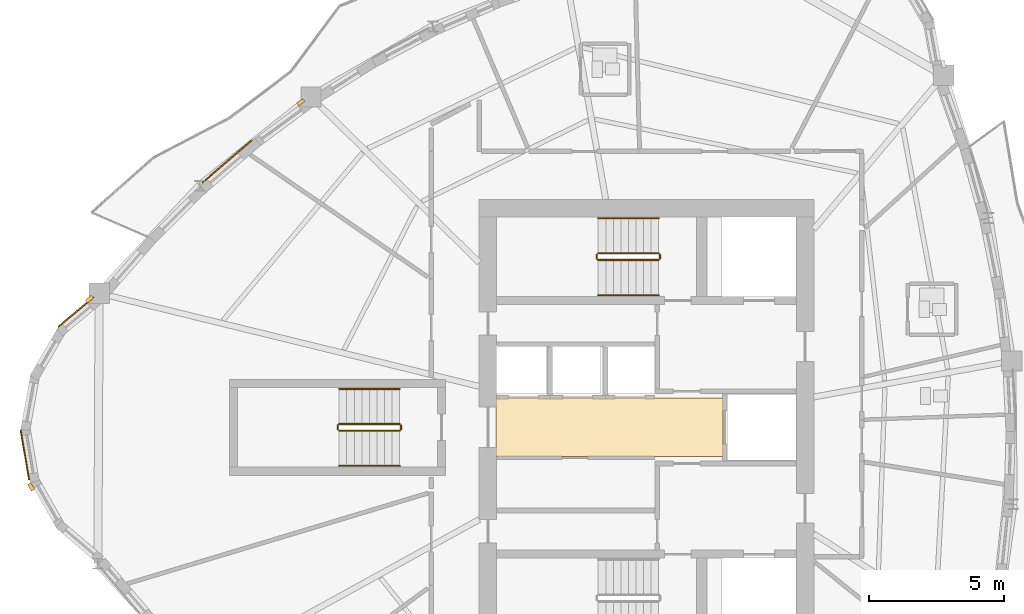
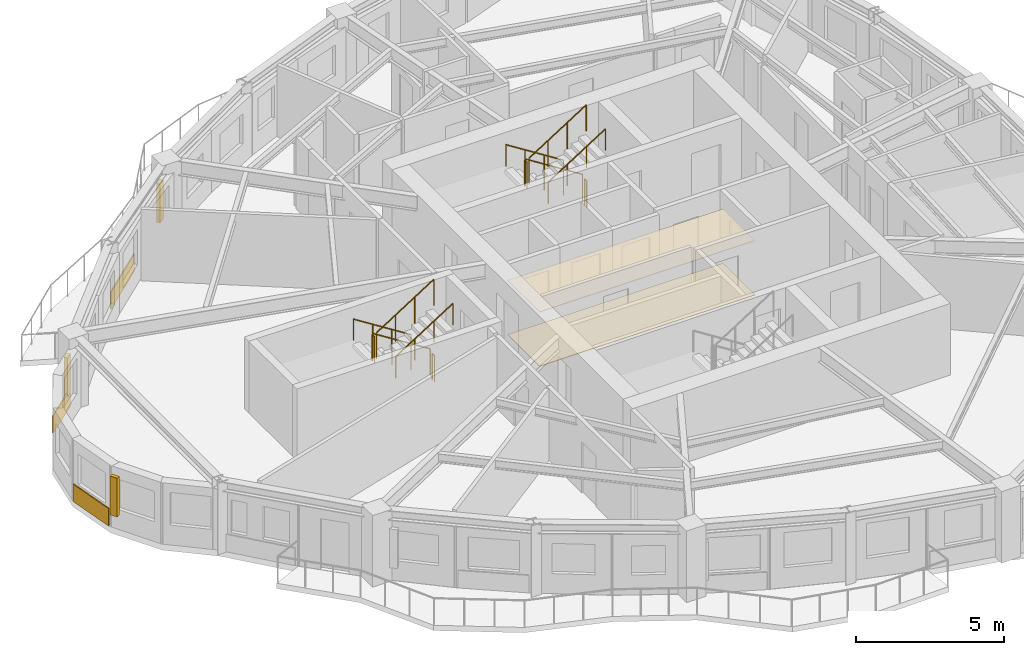
# One storey, part 10 of 12: 12 railings, 5 coverings, 3 shading devices.
"""IFC4 building model written with IfcOpenShell, lengths in metres."""

from ifc_helpers import new_model, si_unit, direction, frame, origin, origin_2d, place, context, subcontext, project, spatial, polyline, rectangle, circle, outline, extrude, source, transform, mapped, material, layer, layer_set, type_object, element, save


model = new_model("IFC4")

# Units and contexts
model_context = context("Model", 3, precision=1e-05, world=origin(), true_north=direction((0.0, 1.0)))
body_context = subcontext(model_context, "Body", "Model", "MODEL_VIEW")
ifc_project = project(units=[si_unit("LENGTHUNIT", "METRE"), si_unit("AREAUNIT", "SQUARE_METRE"), si_unit("VOLUMEUNIT", "CUBIC_METRE"), si_unit("PLANEANGLEUNIT", "RADIAN"), si_unit("MASSUNIT", "GRAM", prefix="KILO")], contexts=[model_context])

# Site, building, storey
site_placement = place(None, origin())
site = spatial("IfcSite", under=ifc_project, at=site_placement, CompositionType="ELEMENT")
building_placement = place(site_placement, origin())
building = spatial("IfcBuilding", under=site, at=building_placement, Name="Qafzar Sky-Pleat Residences", CompositionType="ELEMENT")
storey_placement = place(building_placement, frame((0.0, 0.0, 139.39990234375)))
storey = spatial("IfcBuildingStorey", under=building, at=storey_placement, Name="L41", CompositionType="ELEMENT", Elevation=139.39990234375)

# Coverings
ifc_material_1 = material(Name="Perforated acoustic gypsum board ceiling")
ifc_layer_1 = layer(ifc_material_1, 0.02001953125)
ifc_layer_set_1 = layer_set([ifc_layer_1], Name="Perforated acoustic gypsum board ceiling")
covering_type_1 = type_object("IfcCoveringType", Name="COV-CEIL-ACOUSTIC", PredefinedType="CEILING", material=ifc_layer_set_1)
covering_1_placement = place(storey_placement, frame((0.0, 0.0, 2.239990234375)))
element("IfcCovering", 1, at=covering_1_placement, inside=storey, type_object=covering_type_1, Name="L41 Passenger Lift Lobby Acoustic Ceiling", PredefinedType="CEILING", context=body_context, shape_type="SweptSolid", body=[
    extrude(outline(polyline([(33.179931640625, 24.919921875), (24.77001953125, 24.919921875), (24.77001953125, 27.080078125), (33.179931640625, 27.080078125), (33.179931640625, 24.919921875)])), origin(), (0.0, 0.0, 1.0), 0.02001953125),
])
ifc_material_2 = material(Name="Honed porcelain and Riyadh stone tile flooring", Category="masonry")
ifc_layer_2 = layer(ifc_material_2, 0.02001953125)
ifc_layer_set_2 = layer_set([ifc_layer_2], Name="Honed porcelain and Riyadh stone tile flooring")
covering_type_2 = type_object("IfcCoveringType", Name="COV-FLR-PORCELAIN", PredefinedType="FLOORING", material=ifc_layer_set_2)
covering_2_placement = place(storey_placement, origin())
element("IfcCovering", 2, at=covering_2_placement, inside=storey, type_object=covering_type_2, Name="L41 Passenger Lift Lobby Honed Stone Flooring", PredefinedType="FLOORING", context=body_context, shape_type="SweptSolid", body=[
    extrude(outline(polyline([(33.179931640625, 24.919921875), (24.77001953125, 24.919921875), (24.77001953125, 27.080078125), (33.179931640625, 27.080078125), (33.179931640625, 24.919921875)])), origin(), (0.0, 0.0, 1.0), 0.02001953125),
])

# Shading devices
ifc_material_3 = material(Name="Honed Riyadh limestone solar fin", Category="masonry")
ifc_layer_3 = layer(ifc_material_3, 0.139892578125)
ifc_layer_set_3 = layer_set([ifc_layer_3], Name="Honed Riyadh limestone solar fin")
shading_device_type = type_object("IfcShadingDeviceType", Name="SHD-FIN-STONE", PredefinedType="SHUTTER", material=ifc_layer_set_3)
shared_shape_1 = source(origin(), body_context, "Body", "SweptSolid", [
    extrude(rectangle(XDim=0.139892578125, YDim=0.280029296875, at=origin_2d()), origin(), (0.0, 0.0, 1.0), 1.60009765625),
])
for number, where, z_axis, x_axis, name in (
    (3, (9.705078125, 30.75146484375, 0.60009765625), (0.0, 0.0, 1.0), (-0.642178681306, 0.766554982552, 0.0), "L41 Limestone Solar Fin 1"),
    (4, (7.54248046875, 23.7919921875, 0.60009765625), (0.0, 0.0, 1.0), (-0.86961473554, -0.493730910245, 0.0), "L41 Limestone Solar Fin 5"),
    (5, (17.534423828125, 38.0478515625, 0.60009765625), (0.0, 0.0, 1.0), (-0.594883347751, 0.803812044304, 0.0), "L41 Limestone Solar Fin 45"),
):
    element("IfcShadingDevice", number, at=place(storey_placement, frame(where, z_axis=z_axis, x_axis=x_axis)), inside=storey, type_object=shading_device_type, Name=name, PredefinedType="SHUTTER", context=body_context, shape_type="MappedRepresentation", body=[
        mapped(shared_shape_1, transform((0.0, 0.0, 0.0), x_axis=(1.0, 0.0, 0.0), y_axis=(0.0, 1.0, 0.0), z_axis=(0.0, 0.0, 1.0), scale=1.0)),
    ])

# Coverings
ifc_material_4 = material(Name="Honed Riyadh Tuwaiq limestone cladding", Category="masonry")
ifc_layer_4 = layer(ifc_material_4, 0.044921875)
ifc_layer_set_4 = layer_set([ifc_layer_4], Name="Honed Riyadh Tuwaiq limestone cladding")
covering_type_3 = type_object("IfcCoveringType", Name="COV-CLAD-STONE", PredefinedType="CLADDING", material=ifc_layer_set_4)
shared_shape_2 = source(origin(), body_context, "Body", "SweptSolid", [
    extrude(rectangle(XDim=1.699462890625, YDim=0.044921875, at=origin_2d()), origin(), (0.0, 0.0, 1.0), 0.719970703125),
])
covering_3_placement = place(storey_placement, frame((9.20751953125, 30.278564453125, 0.02001953125), z_axis=(0.0, 0.0, 1.0), x_axis=(-0.766590937902, -0.642135759732, 0.0)))
element("IfcCovering", 6, at=covering_3_placement, inside=storey, type_object=covering_type_3, Name="L41 Riyadh Limestone Spandrel Cladding 1", PredefinedType="CLADDING", context=body_context, shape_type="MappedRepresentation", body=[
    mapped(shared_shape_2, transform((0.0, 0.0, 0.0), x_axis=(1.0, 0.0, 0.0), y_axis=(0.0, 1.0, 0.0), z_axis=(0.0, 0.0, 1.0), scale=1.0)),
])
shared_shape_3 = source(origin(), body_context, "Body", "SweptSolid", [
    extrude(rectangle(XDim=1.873046875, YDim=0.044921875, at=origin_2d()), origin(), (0.0, 0.0, 1.0), 0.719970703125),
])
covering_4_placement = place(storey_placement, frame((7.31103515625, 24.98046875, 0.02001953125), z_axis=(0.0, 0.0, 1.0), x_axis=(0.168130198723, -0.985764797646, 0.0)))
element("IfcCovering", 7, at=covering_4_placement, inside=storey, type_object=covering_type_3, Name="L41 Riyadh Limestone Spandrel Cladding 4", PredefinedType="CLADDING", context=body_context, shape_type="MappedRepresentation", body=[
    mapped(shared_shape_3, transform((0.0, 0.0, 0.0), x_axis=(1.0, 0.0, 0.0), y_axis=(0.0, 1.0, 0.0), z_axis=(0.0, 0.0, 1.0), scale=1.0)),
])
shared_shape_4 = source(origin(), body_context, "Body", "SweptSolid", [
    extrude(rectangle(XDim=2.406982421875, YDim=0.044921875, at=origin_2d()), origin(), (0.0, 0.0, 1.0), 0.719970703125),
])
covering_5_placement = place(storey_placement, frame((14.8046875, 35.854248046875, 0.02001953125), z_axis=(0.0, 0.0, 1.0), x_axis=(-0.757496035004, -0.652839763612, 0.0)))
element("IfcCovering", 8, at=covering_5_placement, inside=storey, type_object=covering_type_3, Name="L41 Riyadh Limestone Spandrel Cladding 46", PredefinedType="CLADDING", context=body_context, shape_type="MappedRepresentation", body=[
    mapped(shared_shape_4, transform((0.0, 0.0, 0.0), x_axis=(1.0, 0.0, 0.0), y_axis=(0.0, 1.0, 0.0), z_axis=(0.0, 0.0, 1.0), scale=1.0)),
])

# Railings
ifc_material_5 = material(Name="Painted Steel S355 stair guardrail", Category="steel")
railing_type_1 = type_object("IfcRailingType", Name="RAIL-STAIR-GUARD", PredefinedType="GUARDRAIL", material=ifc_material_5)
shared_shape_5 = source(origin(), body_context, "Body", "SweptSolid", [
    extrude(circle(Radius=0.02392578125, at=origin_2d()), frame((0.0, 0.0, 1.076171875), z_axis=(0.0, -1.0, 0.0), x_axis=(1.0, 0.0, 0.0)), (0.0, 0.0, 1.0), 0.14990234375),
    extrude(circle(Radius=0.02099609375, at=origin_2d()), origin(), (0.0, 0.0, 1.0), 1.052001953125),
    extrude(circle(Radius=0.02099609375, at=origin_2d()), frame((0.0, -0.14990234375, 0.0)), (0.0, 0.0, 1.0), 1.052001953125),
])
for number, where, name in (
    (9, (28.510009765625, 32.39990234375, 1.60009765625), "L41 ST2 stair guard 2"),
    (10, (30.85009765625, 32.39990234375, 0.0), "L41 ST2 stair guard 4"),
    (11, (18.909912109375, 26.074951171875, 1.60009765625), "L41 ST3 stair guard 2"),
    (12, (21.25, 26.074951171875, 0.0), "L41 ST3 stair guard 4"),
):
    element("IfcRailing", number, at=place(storey_placement, frame(where)), inside=storey, type_object=railing_type_1, Name=name, PredefinedType="GUARDRAIL", context=body_context, shape_type="MappedRepresentation", body=[
        mapped(shared_shape_5, transform((0.0, 0.0, 0.0), x_axis=(1.0, 0.0, 0.0), y_axis=(0.0, 1.0, 0.0), z_axis=(0.0, 0.0, 1.0), scale=1.0)),
    ])
shared_shape_6 = source(origin(), body_context, "Body", "SweptSolid", [
    extrude(circle(Radius=0.02392578125, at=origin_2d()), frame((0.0, 0.0, 1.076171875), z_axis=(-0.8442293374, 0.0, 0.53598211339), x_axis=(0.0, -1.0, 0.0)), (0.0, 0.0, 1.0), 2.6533203125),
    extrude(circle(Radius=0.02099609375, at=origin_2d()), origin(), (0.0, 0.0, 1.0), 1.052001953125),
    extrude(circle(Radius=0.02099609375, at=origin_2d()), frame((-0.74658203125, 0.0, 0.47412109375)), (0.0, 0.0, 1.0), 1.052001953125),
    extrude(circle(Radius=0.02099609375, at=origin_2d()), frame((-1.493408203125, 0.0, 0.947998046875)), (0.0, 0.0, 1.0), 1.052001953125),
    extrude(circle(Radius=0.02099609375, at=origin_2d()), frame((-2.239990234375, 0.0, 1.422119140625)), (0.0, 0.0, 1.0), 1.052001953125),
])
for number, where, name in (
    (13, (30.800048828125, 32.449951171875, 0.177978515625), "L41 ST2 stair guard 1"),
    (14, (21.199951171875, 26.125, 0.177978515625), "L41 ST3 stair guard 1"),
):
    element("IfcRailing", number, at=place(storey_placement, frame(where)), inside=storey, type_object=railing_type_1, Name=name, PredefinedType="GUARDRAIL", context=body_context, shape_type="MappedRepresentation", body=[
        mapped(shared_shape_6, transform((0.0, 0.0, 0.0), x_axis=(1.0, 0.0, 0.0), y_axis=(0.0, 1.0, 0.0), z_axis=(0.0, 0.0, 1.0), scale=1.0)),
    ])
ifc_material_6 = material(Name="Brushed stainless steel handrail", Category="steel")
railing_type_2 = type_object("IfcRailingType", Name="RAIL-STAIR-HAND", PredefinedType="HANDRAIL", material=ifc_material_6)
shared_shape_7 = source(origin(), body_context, "Body", "SweptSolid", [
    extrude(circle(Radius=0.02392578125, at=origin_2d()), frame((0.0, 0.0, 0.8759765625), z_axis=(-0.8442293374, 0.0, 0.53598211339), x_axis=(0.0, -1.0, 0.0)), (0.0, 0.0, 1.0), 2.6533203125),
    extrude(circle(Radius=0.02099609375, at=origin_2d()), origin(), (0.0, 0.0, 1.0), 0.851806640625),
    extrude(circle(Radius=0.02099609375, at=origin_2d()), frame((-0.74658203125, 0.0, 0.47412109375)), (0.0, 0.0, 1.0), 0.851806640625),
    extrude(circle(Radius=0.02099609375, at=origin_2d()), frame((-1.493408203125, 0.0, 0.947998046875)), (0.0, 0.0, 1.0), 0.851806640625),
    extrude(circle(Radius=0.02099609375, at=origin_2d()), frame((-2.239990234375, 0.0, 1.422119140625)), (0.0, 0.0, 1.0), 0.851806640625),
])
for number, where, name in (
    (15, (30.800048828125, 33.75, 0.177978515625), "L41 ST2 stair handrail 1"),
    (16, (21.199951171875, 27.425048828125, 0.177978515625), "L41 ST3 stair handrail 1"),
):
    element("IfcRailing", number, at=place(storey_placement, frame(where)), inside=storey, type_object=railing_type_2, Name=name, PredefinedType="HANDRAIL", context=body_context, shape_type="MappedRepresentation", body=[
        mapped(shared_shape_7, transform((0.0, 0.0, 0.0), x_axis=(1.0, 0.0, 0.0), y_axis=(0.0, 1.0, 0.0), z_axis=(0.0, 0.0, 1.0), scale=1.0)),
    ])
shared_shape_8 = source(origin(), body_context, "Body", "SweptSolid", [
    extrude(circle(Radius=0.02392578125, at=origin_2d()), frame((0.0, 0.0, 1.076171875), z_axis=(0.84418770128, 0.0, 0.536047689118), x_axis=(0.0, 1.0, 0.0)), (0.0, 0.0, 1.0), 2.6533203125),
    extrude(circle(Radius=0.02099609375, at=origin_2d()), origin(), (0.0, 0.0, 1.0), 1.052001953125),
    extrude(circle(Radius=0.02099609375, at=origin_2d()), frame((0.74658203125, 0.0, 0.47412109375)), (0.0, 0.0, 1.0), 1.052001953125),
    extrude(circle(Radius=0.02099609375, at=origin_2d()), frame((1.493408203125, 0.0, 0.9482421875)), (0.0, 0.0, 1.0), 1.052001953125),
    extrude(circle(Radius=0.02099609375, at=origin_2d()), frame((2.239990234375, 0.0, 1.42236328125)), (0.0, 0.0, 1.0), 1.052001953125),
])
for number, where, name in (
    (17, (28.56005859375, 32.199951171875, 1.77783203125), "L41 ST2 stair guard 3"),
    (18, (18.9599609375, 25.875, 1.77783203125), "L41 ST3 stair guard 3"),
):
    element("IfcRailing", number, at=place(storey_placement, frame(where)), inside=storey, type_object=railing_type_1, Name=name, PredefinedType="GUARDRAIL", context=body_context, shape_type="MappedRepresentation", body=[
        mapped(shared_shape_8, transform((0.0, 0.0, 0.0), x_axis=(1.0, 0.0, 0.0), y_axis=(0.0, 1.0, 0.0), z_axis=(0.0, 0.0, 1.0), scale=1.0)),
    ])
shared_shape_9 = source(origin(), body_context, "Body", "SweptSolid", [
    extrude(circle(Radius=0.02392578125, at=origin_2d()), frame((0.0, 0.0, 0.8759765625), z_axis=(0.84418770128, 0.0, 0.536047689118), x_axis=(0.0, 1.0, 0.0)), (0.0, 0.0, 1.0), 2.6533203125),
    extrude(circle(Radius=0.02099609375, at=origin_2d()), origin(), (0.0, 0.0, 1.0), 0.851806640625),
    extrude(circle(Radius=0.02099609375, at=origin_2d()), frame((0.74658203125, 0.0, 0.47412109375)), (0.0, 0.0, 1.0), 0.851806640625),
    extrude(circle(Radius=0.02099609375, at=origin_2d()), frame((1.493408203125, 0.0, 0.9482421875)), (0.0, 0.0, 1.0), 0.851806640625),
    extrude(circle(Radius=0.02099609375, at=origin_2d()), frame((2.239990234375, 0.0, 1.42236328125)), (0.0, 0.0, 1.0), 0.851806640625),
])
for number, where, name in (
    (19, (28.56005859375, 30.89990234375, 1.77783203125), "L41 ST2 stair handrail 2"),
    (20, (18.9599609375, 24.574951171875, 1.77783203125), "L41 ST3 stair handrail 2"),
):
    element("IfcRailing", number, at=place(storey_placement, frame(where)), inside=storey, type_object=railing_type_2, Name=name, PredefinedType="HANDRAIL", context=body_context, shape_type="MappedRepresentation", body=[
        mapped(shared_shape_9, transform((0.0, 0.0, 0.0), x_axis=(1.0, 0.0, 0.0), y_axis=(0.0, 1.0, 0.0), z_axis=(0.0, 0.0, 1.0), scale=1.0)),
    ])

save(model, "model.ifc")
